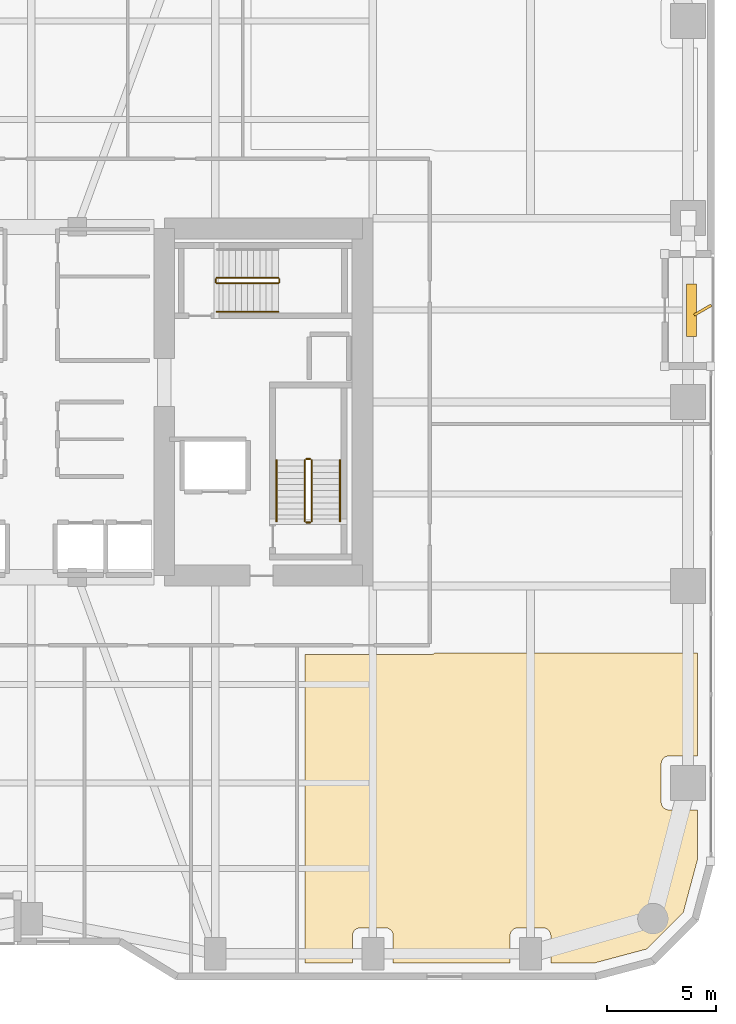
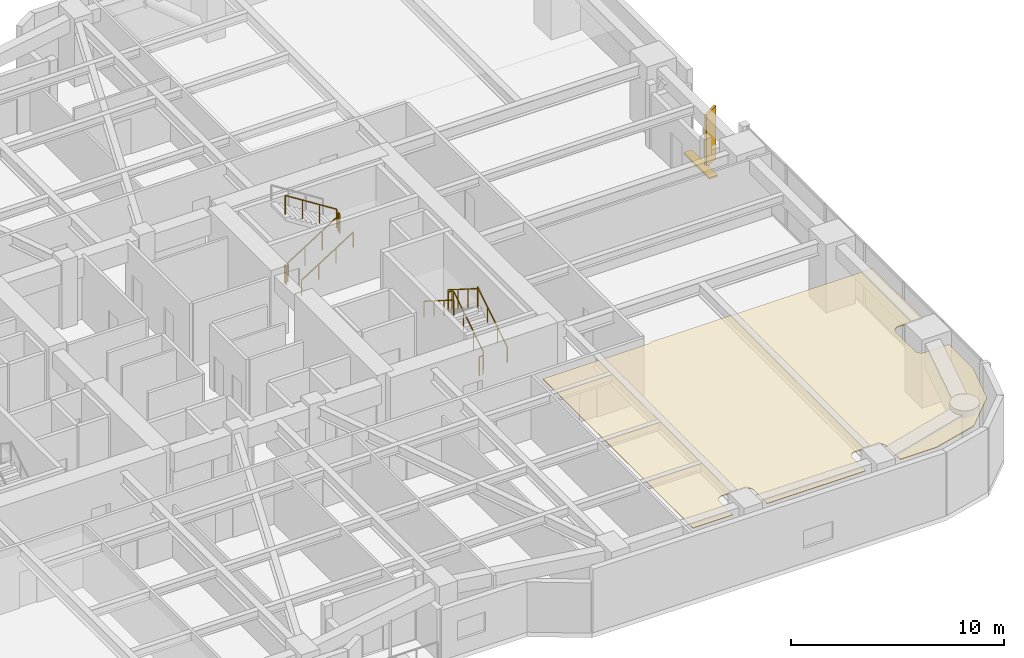
# One storey, part 28 of 29: 11 railings, 2 shading devices, 1 covering.
"""IFC4 building model written with IfcOpenShell, lengths in metres."""

from ifc_helpers import new_model, si_unit, direction, frame, origin, origin_2d, place, context, subcontext, project, spatial, polyline, rectangle, outline, extrude, material, layer, layer_set, type_object, element, save


model = new_model("IFC4")

# Units and contexts
model_context = context("Model", 3, precision=1e-05, world=origin(), true_north=direction((0.0, 1.0)))
body_context = subcontext(model_context, "Body", "Model", "MODEL_VIEW")
ifc_project = project(units=[si_unit("LENGTHUNIT", "METRE"), si_unit("AREAUNIT", "SQUARE_METRE"), si_unit("VOLUMEUNIT", "CUBIC_METRE"), si_unit("PLANEANGLEUNIT", "RADIAN"), si_unit("MASSUNIT", "GRAM", prefix="KILO")], contexts=[model_context])

# Site, building, storey
site_placement = place(None, origin())
site = spatial("IfcSite", under=ifc_project, at=site_placement, CompositionType="ELEMENT")
building_placement = place(site_placement, origin())
building = spatial("IfcBuilding", under=site, at=building_placement, Name="Kiyonajd Concourse Tower", CompositionType="ELEMENT")
storey_placement = place(building_placement, frame((0.0, 0.0, 48.89990234375)))
storey = spatial("IfcBuildingStorey", under=building, at=storey_placement, Name="L13", CompositionType="ELEMENT", Elevation=48.89990234375)

# Covering
ifc_material_1 = material(Name="Natural Oak Acoustic Timber Veneer", Category="wood")
ifc_layer = layer(ifc_material_1, 0.0400390625)
ifc_layer_set = layer_set([ifc_layer], Name="Natural Oak Acoustic Timber Veneer")
covering_type = type_object("IfcCoveringType", Name="CV-CLG-ACST", PredefinedType="CEILING", material=ifc_layer_set)
covering_placement = place(storey_placement, frame((0.0, 0.0, 3.460205078125)))
element("IfcCovering", 1, at=covering_placement, inside=storey, type_object=covering_type, Name="L13-45 Room Acoustic Ceiling", PredefinedType="CEILING", context=body_context, shape_type="SweptSolid", body=[
    extrude(outline(polyline([(66.447998046875, 24.5400390625), (78.429931640625, 24.5400390625), (78.429931640625, 19.830078125), (77.1201171875, 19.830078125), (77.052001953125, 19.822998046875), (76.986083984375, 19.802978515625), (76.926025390625, 19.77099609375), (76.84912109375, 19.701904296875), (76.81103515625, 19.64501953125), (76.784912109375, 19.58203125), (76.77001953125, 19.47998046875), (76.77001953125, 17.719970703125), (76.784912109375, 17.617919921875), (76.81103515625, 17.554931640625), (76.84912109375, 17.498046875), (76.89794921875, 17.448974609375), (76.955078125, 17.410888671875), (77.01806640625, 17.385009765625), (77.0859375, 17.3720703125), (78.429931640625, 17.3701171875), (78.429931640625, 15.10107421875), (77.785888671875, 12.697998046875), (76.10205078125, 11.013916015625), (73.698974609375, 10.3701171875), (71.72998046875, 10.3701171875), (71.72802734375, 11.6640625), (71.715087890625, 11.73193359375), (71.68896484375, 11.794921875), (71.626953125, 11.876953125), (71.544921875, 11.93896484375), (71.48193359375, 11.965087890625), (71.4140625, 11.97802734375), (70.18603515625, 11.97802734375), (70.117919921875, 11.965087890625), (70.054931640625, 11.93896484375), (69.972900390625, 11.876953125), (69.910888671875, 11.794921875), (69.876953125, 11.697998046875), (69.8701171875, 11.6298828125), (69.8701171875, 10.3701171875), (64.530029296875, 10.3701171875), (64.528076171875, 11.6640625), (64.514892578125, 11.73193359375), (64.489013671875, 11.794921875), (64.427001953125, 11.876953125), (64.344970703125, 11.93896484375), (64.281982421875, 11.965087890625), (64.214111328125, 11.97802734375), (63.02001953125, 11.97998046875), (62.91796875, 11.965087890625), (62.85498046875, 11.93896484375), (62.798095703125, 11.90087890625), (62.7490234375, 11.85205078125), (62.7109375, 11.794921875), (62.677001953125, 11.697998046875), (62.669921875, 11.6298828125), (62.669921875, 10.3701171875), (60.510009765625, 10.3701171875), (60.510009765625, 24.4599609375), (66.199951171875, 24.4599609375), (66.330078125, 24.47998046875), (66.39306640625, 24.506103515625), (66.447998046875, 24.5400390625)])), origin(), (0.0, 0.0, 1.0), 0.039794921875),
])

# Railings
ifc_material_2 = material(Name="Steel ASTM A500 Grade C", Category="steel")
railing_type_1 = type_object("IfcRailingType", Name="RL-GRD-STR", PredefinedType="GUARDRAIL", material=ifc_material_2)
railing_1_placement = place(storey_placement, frame((60.800048828125, 30.550048828125, 0.177490234375)))
element("IfcRailing", 2, at=railing_1_placement, inside=storey, type_object=railing_type_1, Name="L13 ST2 stair guard 1", PredefinedType="GUARDRAIL", context=body_context, shape_type="SweptSolid", body=[
    extrude(rectangle(XDim=0.048095703125, YDim=0.048095703125, at=origin_2d()), frame((0.0, 0.0, 1.076171875), z_axis=(0.0, 0.844908973607, 0.534910110503), x_axis=(-1.0, 0.0, 0.0)), (0.0, 0.0, 1.0), 3.31396484375),
    extrude(rectangle(XDim=0.0419921875, YDim=0.0419921875, at=origin_2d()), origin(), (0.0, 0.0, 1.0), 1.052001953125),
    extrude(rectangle(XDim=0.0419921875, YDim=0.0419921875, at=origin_2d()), frame((0.0, 0.933349609375, 0.5908203125)), (0.0, 0.0, 1.0), 1.052001953125),
    extrude(rectangle(XDim=0.0419921875, YDim=0.0419921875, at=origin_2d()), frame((0.0, 1.86669921875, 1.181884765625)), (0.0, 0.0, 1.0), 1.052001953125),
    extrude(rectangle(XDim=0.0419921875, YDim=0.0419921875, at=origin_2d()), frame((0.0, 2.800048828125, 1.772705078125)), (0.0, 0.0, 1.0), 1.052001953125),
])
railing_2_placement = place(storey_placement, frame((60.75, 33.39990234375, 1.9501953125)))
element("IfcRailing", 3, at=railing_2_placement, inside=storey, type_object=railing_type_1, Name="L13 ST2 stair guard 2", PredefinedType="GUARDRAIL", context=body_context, shape_type="SweptSolid", body=[
    extrude(rectangle(XDim=0.048095703125, YDim=0.048095703125, at=origin_2d()), frame((0.0, 0.0, 1.076171875), z_axis=(-1.0, 0.0, 0.0), x_axis=(0.0, -1.0, 0.0)), (0.0, 0.0, 1.0), 0.199951171875),
    extrude(rectangle(XDim=0.0419921875, YDim=0.0419921875, at=origin_2d()), origin(), (0.0, 0.0, 1.0), 1.052001953125),
    extrude(rectangle(XDim=0.0419921875, YDim=0.0419921875, at=origin_2d()), frame((-0.199951171875, 0.0, 0.0)), (0.0, 0.0, 1.0), 1.052001953125),
])
railing_3_placement = place(storey_placement, frame((60.5, 33.35009765625, 2.12744140625)))
element("IfcRailing", 4, at=railing_3_placement, inside=storey, type_object=railing_type_1, Name="L13 ST2 stair guard 3", PredefinedType="GUARDRAIL", context=body_context, shape_type="SweptSolid", body=[
    extrude(rectangle(XDim=0.048095703125, YDim=0.048095703125, at=origin_2d()), frame((0.0, 0.0, 1.076171875), z_axis=(0.0, -0.844908973607, 0.534910110503), x_axis=(1.0, 0.0, 0.0)), (0.0, 0.0, 1.0), 3.31396484375),
    extrude(rectangle(XDim=0.0419921875, YDim=0.0419921875, at=origin_2d()), origin(), (0.0, 0.0, 1.0), 1.052001953125),
    extrude(rectangle(XDim=0.0419921875, YDim=0.0419921875, at=origin_2d()), frame((0.0, -0.933349609375, 0.5908203125)), (0.0, 0.0, 1.0), 1.052001953125),
    extrude(rectangle(XDim=0.0419921875, YDim=0.0419921875, at=origin_2d()), frame((0.0, -1.86669921875, 1.181884765625)), (0.0, 0.0, 1.0), 1.052001953125),
    extrude(rectangle(XDim=0.0419921875, YDim=0.0419921875, at=origin_2d()), frame((0.0, -2.800048828125, 1.772705078125)), (0.0, 0.0, 1.0), 1.052001953125),
])
railing_4_placement = place(storey_placement, frame((60.75, 30.5, 0.0)))
element("IfcRailing", 5, at=railing_4_placement, inside=storey, type_object=railing_type_1, Name="L13 ST2 stair guard 4", PredefinedType="GUARDRAIL", context=body_context, shape_type="SweptSolid", body=[
    extrude(rectangle(XDim=0.048095703125, YDim=0.048095703125, at=origin_2d()), frame((0.0, 0.0, 1.076171875), z_axis=(-1.0, 0.0, 0.0), x_axis=(0.0, -1.0, 0.0)), (0.0, 0.0, 1.0), 0.199951171875),
    extrude(rectangle(XDim=0.0419921875, YDim=0.0419921875, at=origin_2d()), origin(), (0.0, 0.0, 1.0), 1.052001953125),
    extrude(rectangle(XDim=0.0419921875, YDim=0.0419921875, at=origin_2d()), frame((-0.199951171875, 0.0, 0.0)), (0.0, 0.0, 1.0), 1.052001953125),
])
railing_5_placement = place(storey_placement, frame((56.47998046875, 41.429931640625, 0.177490234375)))
element("IfcRailing", 6, at=railing_5_placement, inside=storey, type_object=railing_type_1, Name="L13 ST3 stair guard 1", PredefinedType="GUARDRAIL", context=body_context, shape_type="SweptSolid", body=[
    extrude(rectangle(XDim=0.048095703125, YDim=0.048095703125, at=origin_2d()), frame((0.0, 0.0, 1.076171875), z_axis=(0.844908973607, 0.0, 0.534910110503), x_axis=(0.0, 1.0, 0.0)), (0.0, 0.0, 1.0), 3.31396484375),
    extrude(rectangle(XDim=0.0419921875, YDim=0.0419921875, at=origin_2d()), origin(), (0.0, 0.0, 1.0), 1.052001953125),
    extrude(rectangle(XDim=0.0419921875, YDim=0.0419921875, at=origin_2d()), frame((0.933349609375, 0.0, 0.5908203125)), (0.0, 0.0, 1.0), 1.052001953125),
    extrude(rectangle(XDim=0.0419921875, YDim=0.0419921875, at=origin_2d()), frame((1.86669921875, 0.0, 1.181884765625)), (0.0, 0.0, 1.0), 1.052001953125),
    extrude(rectangle(XDim=0.0419921875, YDim=0.0419921875, at=origin_2d()), frame((2.800048828125, 0.0, 1.772705078125)), (0.0, 0.0, 1.0), 1.052001953125),
])
railing_6_placement = place(storey_placement, frame((59.330078125, 41.47998046875, 1.9501953125)))
element("IfcRailing", 7, at=railing_6_placement, inside=storey, type_object=railing_type_1, Name="L13 ST3 stair guard 2", PredefinedType="GUARDRAIL", context=body_context, shape_type="SweptSolid", body=[
    extrude(rectangle(XDim=0.048095703125, YDim=0.048095703125, at=origin_2d()), frame((0.0, 0.0, 1.076171875), z_axis=(0.0, 1.0, 0.0), x_axis=(-1.0, 0.0, 0.0)), (0.0, 0.0, 1.0), 0.14013671875),
    extrude(rectangle(XDim=0.0419921875, YDim=0.0419921875, at=origin_2d()), origin(), (0.0, 0.0, 1.0), 1.052001953125),
    extrude(rectangle(XDim=0.0419921875, YDim=0.0419921875, at=origin_2d()), frame((0.0, 0.14013671875, 0.0)), (0.0, 0.0, 1.0), 1.052001953125),
])
railing_7_placement = place(storey_placement, frame((59.280029296875, 41.669921875, 2.12744140625)))
element("IfcRailing", 8, at=railing_7_placement, inside=storey, type_object=railing_type_1, Name="L13 ST3 stair guard 3", PredefinedType="GUARDRAIL", context=body_context, shape_type="SweptSolid", body=[
    extrude(rectangle(XDim=0.048095703125, YDim=0.048095703125, at=origin_2d()), frame((0.0, 0.0, 1.076171875), z_axis=(-0.844908973607, 0.0, 0.534910110503), x_axis=(0.0, -1.0, 0.0)), (0.0, 0.0, 1.0), 3.31396484375),
    extrude(rectangle(XDim=0.0419921875, YDim=0.0419921875, at=origin_2d()), origin(), (0.0, 0.0, 1.0), 1.052001953125),
    extrude(rectangle(XDim=0.0419921875, YDim=0.0419921875, at=origin_2d()), frame((-0.933349609375, 0.0, 0.5908203125)), (0.0, 0.0, 1.0), 1.052001953125),
    extrude(rectangle(XDim=0.0419921875, YDim=0.0419921875, at=origin_2d()), frame((-1.86669921875, 0.0, 1.181884765625)), (0.0, 0.0, 1.0), 1.052001953125),
    extrude(rectangle(XDim=0.0419921875, YDim=0.0419921875, at=origin_2d()), frame((-2.800048828125, 0.0, 1.772705078125)), (0.0, 0.0, 1.0), 1.052001953125),
])
railing_8_placement = place(storey_placement, frame((56.429931640625, 41.47998046875, 0.0)))
element("IfcRailing", 9, at=railing_8_placement, inside=storey, type_object=railing_type_1, Name="L13 ST3 stair guard 4", PredefinedType="GUARDRAIL", context=body_context, shape_type="SweptSolid", body=[
    extrude(rectangle(XDim=0.048095703125, YDim=0.048095703125, at=origin_2d()), frame((0.0, 0.0, 1.076171875), z_axis=(0.0, 1.0, 0.0), x_axis=(-1.0, 0.0, 0.0)), (0.0, 0.0, 1.0), 0.14013671875),
    extrude(rectangle(XDim=0.0419921875, YDim=0.0419921875, at=origin_2d()), origin(), (0.0, 0.0, 1.0), 1.052001953125),
    extrude(rectangle(XDim=0.0419921875, YDim=0.0419921875, at=origin_2d()), frame((0.0, 0.14013671875, 0.0)), (0.0, 0.0, 1.0), 1.052001953125),
])
ifc_material_3 = material(Name="Brushed Stainless Steel Cab Assembly", Category="steel")
railing_type_2 = type_object("IfcRailingType", Name="RL-HND-900", PredefinedType="HANDRAIL", material=ifc_material_3)
railing_9_placement = place(storey_placement, frame((62.10009765625, 30.550048828125, 0.177490234375)))
element("IfcRailing", 10, at=railing_9_placement, inside=storey, type_object=railing_type_2, Name="L13 ST2 stair handrail 1", PredefinedType="HANDRAIL", context=body_context, shape_type="SweptSolid", body=[
    extrude(rectangle(XDim=0.048095703125, YDim=0.048095703125, at=origin_2d()), frame((0.0, 0.0, 0.8759765625), z_axis=(0.0, 0.844908973607, 0.534910110503), x_axis=(-1.0, 0.0, 0.0)), (0.0, 0.0, 1.0), 3.31396484375),
    extrude(rectangle(XDim=0.0419921875, YDim=0.0419921875, at=origin_2d()), origin(), (0.0, 0.0, 1.0), 0.851806640625),
    extrude(rectangle(XDim=0.0419921875, YDim=0.0419921875, at=origin_2d()), frame((0.0, 0.933349609375, 0.5908203125)), (0.0, 0.0, 1.0), 0.851806640625),
    extrude(rectangle(XDim=0.0419921875, YDim=0.0419921875, at=origin_2d()), frame((0.0, 1.86669921875, 1.181884765625)), (0.0, 0.0, 1.0), 0.851806640625),
    extrude(rectangle(XDim=0.0419921875, YDim=0.0419921875, at=origin_2d()), frame((0.0, 2.800048828125, 1.772705078125)), (0.0, 0.0, 1.0), 0.851806640625),
])
railing_10_placement = place(storey_placement, frame((59.199951171875, 33.35009765625, 2.12744140625)))
element("IfcRailing", 11, at=railing_10_placement, inside=storey, type_object=railing_type_2, Name="L13 ST2 stair handrail 2", PredefinedType="HANDRAIL", context=body_context, shape_type="SweptSolid", body=[
    extrude(rectangle(XDim=0.048095703125, YDim=0.048095703125, at=origin_2d()), frame((0.0, 0.0, 0.8759765625), z_axis=(0.0, -0.844908973607, 0.534910110503), x_axis=(1.0, 0.0, 0.0)), (0.0, 0.0, 1.0), 3.31396484375),
    extrude(rectangle(XDim=0.0419921875, YDim=0.0419921875, at=origin_2d()), origin(), (0.0, 0.0, 1.0), 0.851806640625),
    extrude(rectangle(XDim=0.0419921875, YDim=0.0419921875, at=origin_2d()), frame((0.0, -0.933349609375, 0.5908203125)), (0.0, 0.0, 1.0), 0.851806640625),
    extrude(rectangle(XDim=0.0419921875, YDim=0.0419921875, at=origin_2d()), frame((0.0, -1.86669921875, 1.181884765625)), (0.0, 0.0, 1.0), 0.851806640625),
    extrude(rectangle(XDim=0.0419921875, YDim=0.0419921875, at=origin_2d()), frame((0.0, -2.800048828125, 1.772705078125)), (0.0, 0.0, 1.0), 0.851806640625),
])
railing_11_placement = place(storey_placement, frame((56.47998046875, 40.1298828125, 0.177490234375)))
element("IfcRailing", 12, at=railing_11_placement, inside=storey, type_object=railing_type_2, Name="L13 ST3 stair handrail 1", PredefinedType="HANDRAIL", context=body_context, shape_type="SweptSolid", body=[
    extrude(rectangle(XDim=0.048095703125, YDim=0.048095703125, at=origin_2d()), frame((0.0, 0.0, 0.8759765625), z_axis=(0.844908973607, 0.0, 0.534910110503), x_axis=(0.0, 1.0, 0.0)), (0.0, 0.0, 1.0), 3.31396484375),
    extrude(rectangle(XDim=0.0419921875, YDim=0.0419921875, at=origin_2d()), origin(), (0.0, 0.0, 1.0), 0.851806640625),
    extrude(rectangle(XDim=0.0419921875, YDim=0.0419921875, at=origin_2d()), frame((0.933349609375, 0.0, 0.5908203125)), (0.0, 0.0, 1.0), 0.851806640625),
    extrude(rectangle(XDim=0.0419921875, YDim=0.0419921875, at=origin_2d()), frame((1.86669921875, 0.0, 1.181884765625)), (0.0, 0.0, 1.0), 0.851806640625),
    extrude(rectangle(XDim=0.0419921875, YDim=0.0419921875, at=origin_2d()), frame((2.800048828125, 0.0, 1.772705078125)), (0.0, 0.0, 1.0), 0.851806640625),
])

# Shading devices
ifc_material_4 = material(Name="Precast concrete C50/60", Category="concrete")
shading_device_type_1 = type_object("IfcShadingDeviceType", Name="SH-FIN-900", PredefinedType="USERDEFINED", material=ifc_material_4)
shading_device_1_placement = place(storey_placement, frame((78.669921875, 40.199951171875, 0.0), z_axis=(0.0, 0.0, 1.0), x_axis=(0.866025403784, 0.5, 0.0)))
element("IfcShadingDevice", 13, at=shading_device_1_placement, inside=storey, type_object=shading_device_type_1, Name="L13 Angled Koshi Solar Fin LOG-E", ObjectType="FIN", PredefinedType="USERDEFINED", context=body_context, shape_type="SweptSolid", body=[
    extrude(rectangle(XDim=0.89990234375, YDim=0.1201171875, at=origin_2d()), origin(), (0.0, 0.0, 1.0), 3.0),
])
ifc_material_5 = material(Name="Thermally Broken Anodised Aluminium", Category="aluminium")
shading_device_type_2 = type_object("IfcShadingDeviceType", Name="SH-LVR-600", PredefinedType="JALOUSIE", material=ifc_material_5)
shading_device_2_placement = place(storey_placement, frame((78.14990234375, 40.199951171875, 0.0), z_axis=(0.0, 0.0, 1.0), x_axis=(0.0, 1.0, 0.0)))
element("IfcShadingDevice", 14, at=shading_device_2_placement, inside=storey, type_object=shading_device_type_2, Name="L13 Loggia Threshold Louver LOG-E", PredefinedType="JALOUSIE", context=body_context, shape_type="SweptSolid", body=[
    extrude(rectangle(XDim=2.39990234375, YDim=0.449951171875, at=origin_2d()), origin(), (0.0, 0.0, 1.0), 0.10009765625),
])

save(model, "model.ifc")
